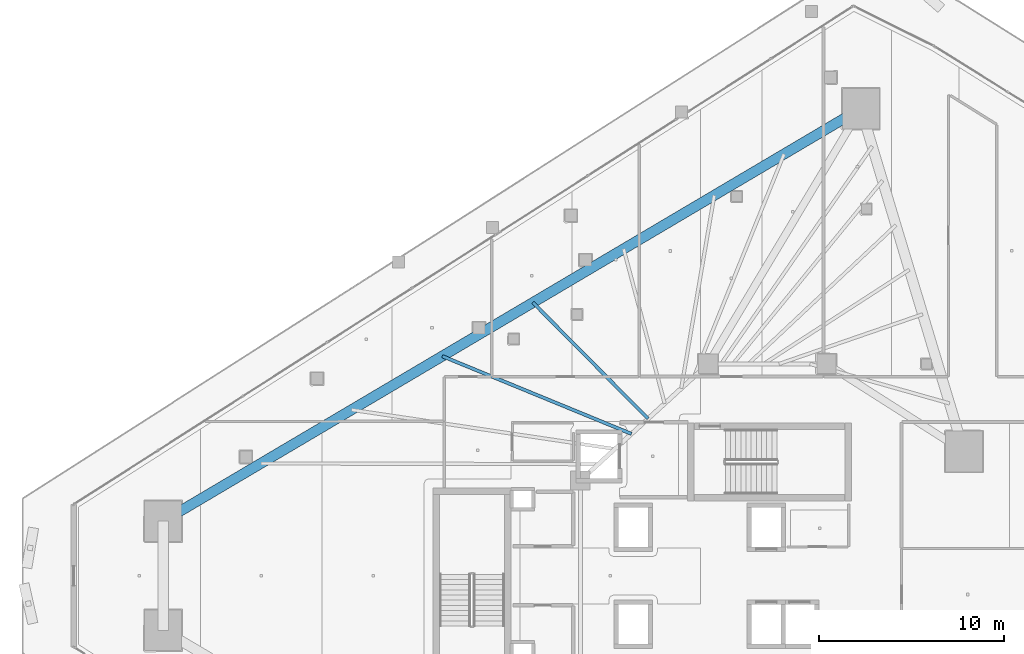
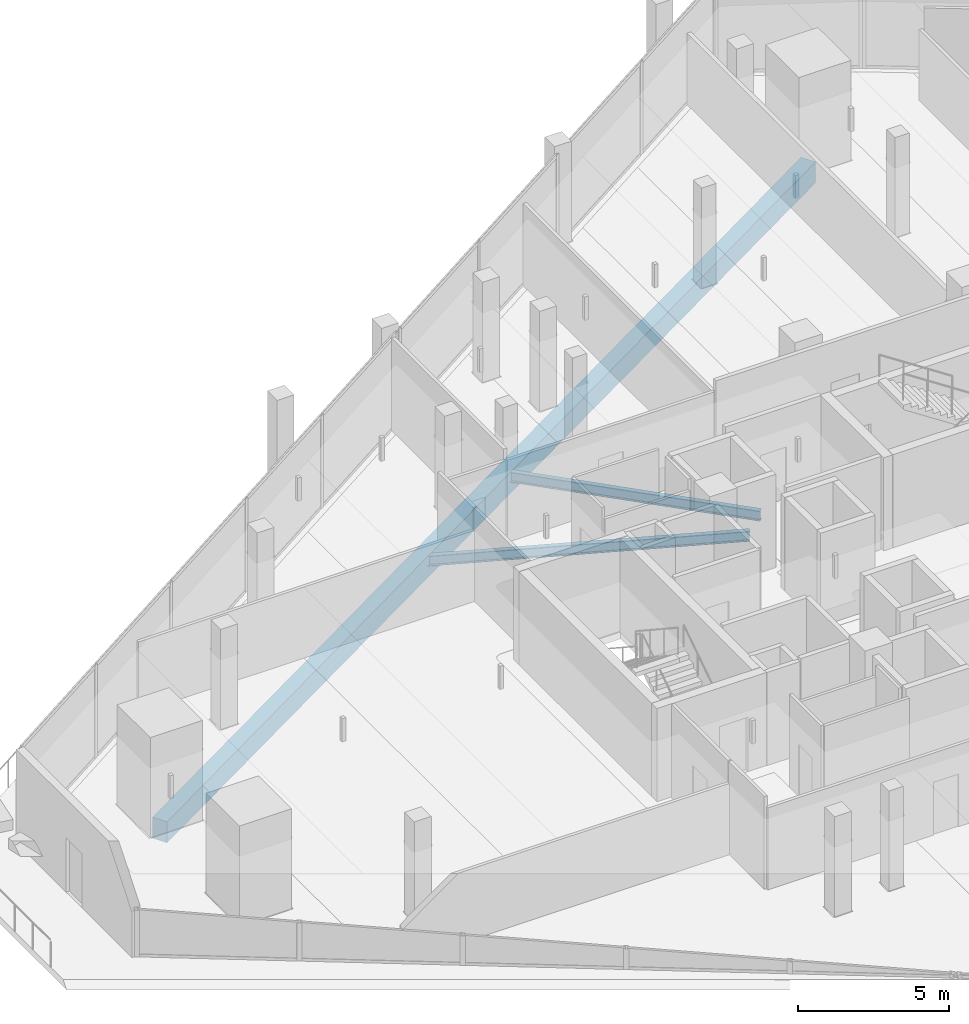
# One storey, part 16 of 42: 3 beams.
"""IFC4 building model written with IfcOpenShell, lengths in metres."""

from ifc_helpers import new_model, si_unit, direction, frame, origin, origin_2d, place, context, subcontext, project, spatial, rectangle, i_section, extrude, material, material_profile, profile_set, type_object, element, save


model = new_model("IFC4")

# Units and contexts
model_context = context("Model", 3, precision=1e-05, world=origin(), true_north=direction((0.0, 1.0)))
body_context = subcontext(model_context, "Body", "Model", "MODEL_VIEW")
ifc_project = project(units=[si_unit("LENGTHUNIT", "METRE"), si_unit("AREAUNIT", "SQUARE_METRE"), si_unit("VOLUMEUNIT", "CUBIC_METRE"), si_unit("PLANEANGLEUNIT", "RADIAN"), si_unit("MASSUNIT", "GRAM", prefix="KILO")], contexts=[model_context])

# Site, building, storey
site_placement = place(None, origin())
site = spatial("IfcSite", under=ifc_project, at=site_placement, CompositionType="ELEMENT")
building_placement = place(site_placement, origin())
building = spatial("IfcBuilding", under=site, at=building_placement, Name="Qorvath Tower", CompositionType="ELEMENT")
storey_placement = place(building_placement, frame((0.0, 0.0, 121.949951171875)))
storey = spatial("IfcBuildingStorey", under=building, at=storey_placement, Name="L27", CompositionType="ELEMENT", Elevation=121.949951171875)

# Beams
ifc_material_1 = material(Name="Steel ASTM A992 Grade 50", Category="steel")
ifc_material_profile_1 = material_profile(ifc_material_1, i_section(OverallWidth=0.177978515625, OverallDepth=0.406005859375, WebThickness=0.0078125, FlangeThickness=0.0126953125, FilletRadius=0.010986328125, at=origin_2d()), Name="W16x40")
ifc_profile_set_1 = profile_set([ifc_material_profile_1], Name="Steel ASTM A992 Grade 50")
beam_type_1 = type_object("IfcBeamType", Name="BM-FJ3", PredefinedType="JOIST", material=ifc_profile_set_1)
beam_1_placement = place(storey_placement, frame((-27.739990234375, 7.669921875, -0.483154296875), z_axis=(-0.925068176006, 0.379801092338, 0.0), x_axis=(-0.379801092338, -0.925068176006, 0.0)))
element("IfcBeam", 1, at=beam_1_placement, inside=storey, type_object=beam_type_1, Name="Composite Floor Joist NW3 L27", PredefinedType="JOIST", context=body_context, shape_type="SweptSolid", body=[
    extrude(i_section(OverallWidth=0.177978515625, OverallDepth=0.406005859375, WebThickness=0.0078125, FlangeThickness=0.0126953125, FilletRadius=0.010986328125, at=origin_2d()), origin(), (0.0, 0.0, 1.0), 11.0556640625),
])
beam_2_placement = place(storey_placement, frame((-26.843017578125, 8.489013671875, -0.483154296875), z_axis=(-0.70395121362, 0.710248328997, 0.0), x_axis=(-0.710248328997, -0.70395121362, 0.0)))
element("IfcBeam", 2, at=beam_2_placement, inside=storey, type_object=beam_type_1, Name="Composite Floor Joist NW4 L27", PredefinedType="JOIST", context=body_context, shape_type="SweptSolid", body=[
    extrude(i_section(OverallWidth=0.177978515625, OverallDepth=0.406005859375, WebThickness=0.0078125, FlangeThickness=0.0126953125, FilletRadius=0.010986328125, at=origin_2d()), origin(), (0.0, 0.0, 1.0), 8.839599609375),
])
ifc_material_2 = material(Name="Concrete C50/60", Category="concrete")
ifc_material_profile_2 = material_profile(ifc_material_2, rectangle(XDim=0.550048828125, YDim=0.85009765625, at=origin_2d()), Name="RCB 850x550")
ifc_profile_set_2 = profile_set([ifc_material_profile_2], Name="Concrete C50/60")
beam_type_2 = type_object("IfcBeamType", Name="BM-RCB2", PredefinedType="SPANDREL", material=ifc_profile_set_2)
beam_3_placement = place(storey_placement, frame((-15.34423828125, 25.24609375, -0.705078125), z_axis=(-0.860775142889, -0.508985415689, 0.0), x_axis=(0.508985415689, -0.860775142889, 0.0)))
element("IfcBeam", 3, at=beam_3_placement, inside=storey, type_object=beam_type_2, Name="Perimeter Loggia Frame Beam MC6-MC1 L27", PredefinedType="SPANDREL", context=body_context, shape_type="SweptSolid", body=[
    extrude(rectangle(XDim=0.550048828125, YDim=0.85009765625, at=origin_2d()), origin(), (0.0, 0.0, 1.0), 43.8037109375),
])

save(model, "model.ifc")
